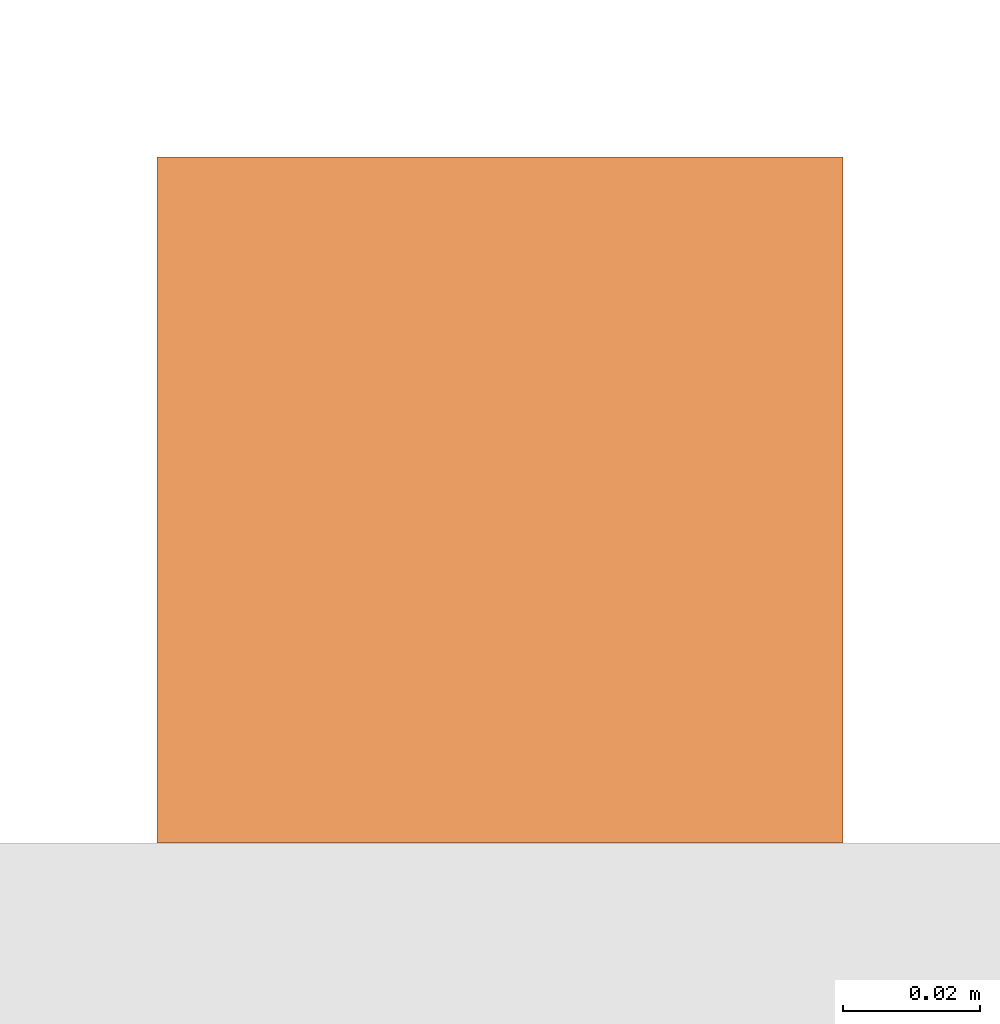
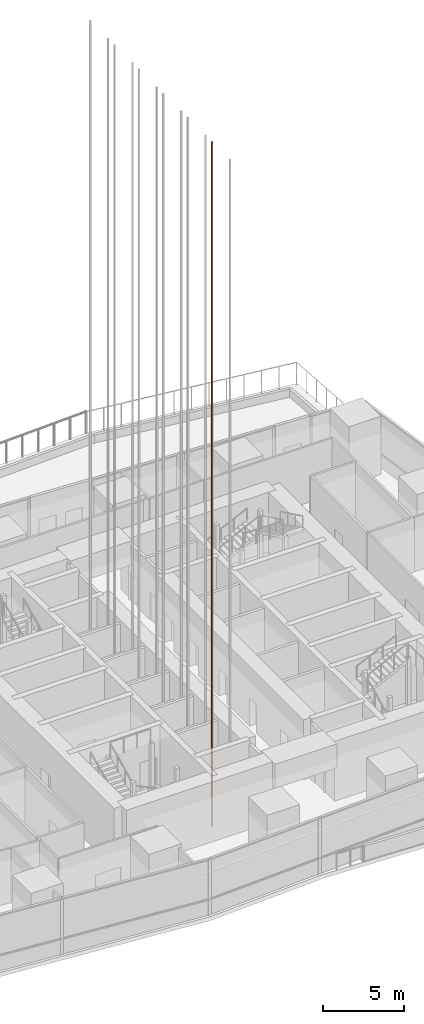
# One storey, part 29 of 39: 1 proxy.
"""IFC4 building model written with IfcOpenShell, lengths in metres."""

from ifc_helpers import new_model, si_unit, direction, frame, origin, origin_2d, place, context, subcontext, project, spatial, rectangle, extrude, material, type_object, element, save


model = new_model("IFC4")

# Units and contexts
model_context = context("Model", 3, precision=1e-05, world=origin(), true_north=direction((0.0, 1.0)))
body_context = subcontext(model_context, "Body", "Model", "MODEL_VIEW")
ifc_project = project(units=[si_unit("LENGTHUNIT", "METRE"), si_unit("AREAUNIT", "SQUARE_METRE"), si_unit("VOLUMEUNIT", "CUBIC_METRE"), si_unit("PLANEANGLEUNIT", "RADIAN"), si_unit("MASSUNIT", "GRAM", prefix="KILO")], contexts=[model_context])

# Site, building, storey
site_placement = place(None, origin())
site = spatial("IfcSite", under=ifc_project, at=site_placement, CompositionType="ELEMENT")
building_placement = place(site_placement, origin())
building = spatial("IfcBuilding", under=site, at=building_placement, Name="Rekha Terrace Tower", CompositionType="ELEMENT")
storey_placement = place(building_placement, frame((0.0, 0.0, 245.60009765625)))
storey = spatial("IfcBuildingStorey", under=building, at=storey_placement, Name="L62", CompositionType="ELEMENT", Elevation=245.60009765625)

# Proxy
ifc_material = material(Name="Steel guide rail", Category="steel")
building_element_proxy_type = type_object("IfcBuildingElementProxyType", Name="LR1 100 lift guide rail", PredefinedType="ELEMENT", material=ifc_material)
proxy_placement = place(storey_placement, frame((34.5, 26.0, -3.30029296875), z_axis=(0.0, 0.0, 1.0), x_axis=(1.0, 0.0, 0.0)))
element("IfcBuildingElementProxy", 1, at=proxy_placement, inside=storey, type_object=building_element_proxy_type, Name="Lift D1 guide rail 2", PredefinedType="ELEMENT", context=body_context, shape_type="SweptSolid", body=[
    extrude(rectangle(XDim=0.10009765625, YDim=0.10009765625, at=origin_2d()), origin(), (0.0, 0.0, 1.0), 51.449951171875),
])

save(model, "model.ifc")
